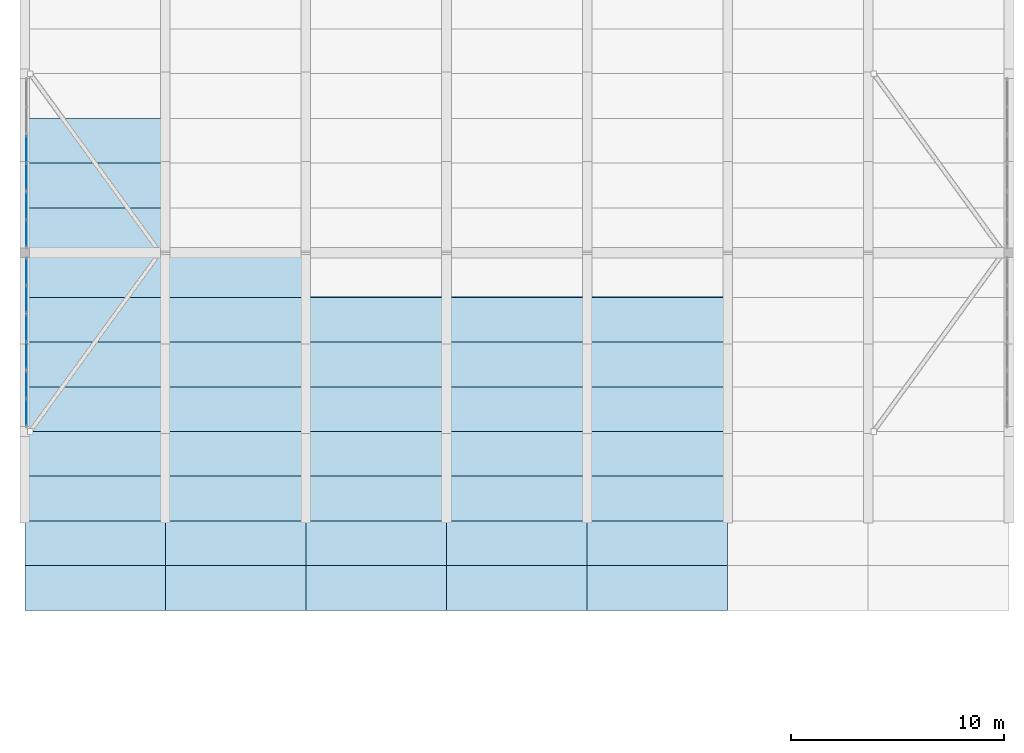
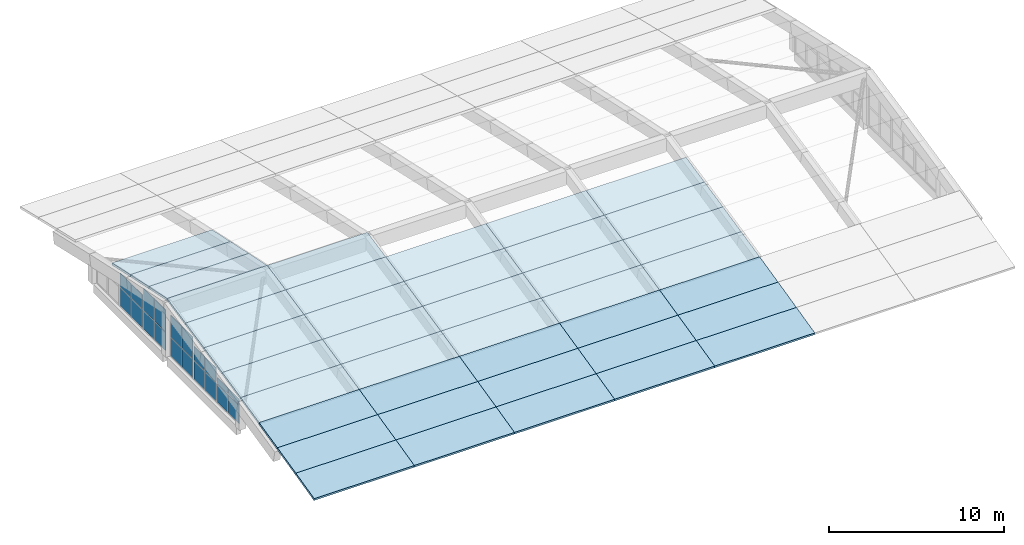
# One storey, part 25 of 47: 40 slabs, 20 plates, 5 elements without a shape of their own.
"""IFC4 building model written with IfcOpenShell, lengths in metres."""

from ifc_helpers import new_model, si_unit, direction, frame, origin, origin_2d, place, context, subcontext, project, spatial, polyline, rectangle, outline, extrude, material, layer, layer_set, type_object, element, aggregate, save


model = new_model("IFC4")

# Units and contexts
model_context = context("Model", 3, precision=1e-05, world=origin(), true_north=direction((0.0, 1.0)))
body_context = subcontext(model_context, "Body", "Model", "MODEL_VIEW")
ifc_project = project(units=[si_unit("LENGTHUNIT", "METRE"), si_unit("AREAUNIT", "SQUARE_METRE"), si_unit("VOLUMEUNIT", "CUBIC_METRE"), si_unit("PLANEANGLEUNIT", "RADIAN"), si_unit("MASSUNIT", "GRAM", prefix="KILO")], contexts=[model_context])

# Site, building, storey
site_placement = place(None, origin())
site = spatial("IfcSite", under=ifc_project, at=site_placement, CompositionType="ELEMENT")
building_placement = place(site_placement, origin())
building = spatial("IfcBuilding", under=site, at=building_placement, Name="Qaldarim Faculty of Natural and Applied Sciences", CompositionType="ELEMENT")
storey_placement = place(building_placement, frame((0.0, 0.0, 22.800048828125)))
storey = spatial("IfcBuildingStorey", under=building, at=storey_placement, Name="L05", CompositionType="ELEMENT", Elevation=22.800048828125)

# Curtain wall, plates
ifc_material_1 = material(Name="Anodised aluminium AW-6063", Category="aluminium")
curtain_wall_type = type_object("IfcCurtainWallType", Name="CurtainWallSystem-M1500", PredefinedType="USERDEFINED", material=ifc_material_1)
curtain_wall_1_placement = place(storey_placement, origin())
curtain_wall_1 = element("IfcCurtainWall", 1, at=curtain_wall_1_placement, inside=storey, type_object=curtain_wall_type, Name="Curtain wall CW-GABLE-L05-W-Y06-1", ObjectType="STICK CURTAIN WALL", PredefinedType="USERDEFINED")
ifc_material_2 = material(Name="Champagne anodised aluminium AW-6063", Category="aluminium")
ifc_layer_1 = layer(ifc_material_2, 0.0400390625)
ifc_layer_set_1 = layer_set([ifc_layer_1], Name="Champagne anodised aluminium AW-6063")
plate_type = type_object("IfcPlateType", Name="InsulatedSpandrelPanel-40", PredefinedType="CURTAIN_PANEL", material=ifc_layer_set_1)
plate_1_placement = place(storey_placement, frame((0.080078125, 44.19140625, 0.06005859375), z_axis=(0.0, 0.0, 1.0), x_axis=(0.0, -1.0, 0.0)))
plate_1 = element("IfcPlate", 2, at=plate_1_placement, type_object=plate_type, Name="Glazed panel 1-1 of CW-GABLE-L05-W-Y06-1", PredefinedType="CURTAIN_PANEL", context=body_context, shape_type="SweptSolid", body=[
    extrude(rectangle(XDim=1.2275390625, YDim=0.0400390625, at=origin_2d()), origin(), (0.0, 0.0, 1.0), 1.260009765625),
])
plate_2_placement = place(storey_placement, frame((0.080078125, 44.19140625, 1.3798828125), z_axis=(0.0, 0.0, 1.0), x_axis=(0.0, -1.0, 0.0)))
plate_2 = element("IfcPlate", 3, at=plate_2_placement, type_object=plate_type, Name="Glazed panel 1-2 of CW-GABLE-L05-W-Y06-1", PredefinedType="CURTAIN_PANEL", context=body_context, shape_type="SweptSolid", body=[
    extrude(rectangle(XDim=1.2275390625, YDim=0.0400390625, at=origin_2d()), origin(), (0.0, 0.0, 1.0), 0.389892578125),
])
plate_3_placement = place(storey_placement, frame((0.080078125, 42.90380859375, 0.06005859375), z_axis=(0.0, 0.0, 1.0), x_axis=(0.0, -1.0, 0.0)))
plate_3 = element("IfcPlate", 4, at=plate_3_placement, type_object=plate_type, Name="Glazed panel 2-1 of CW-GABLE-L05-W-Y06-1", PredefinedType="CURTAIN_PANEL", context=body_context, shape_type="SweptSolid", body=[
    extrude(rectangle(XDim=1.2275390625, YDim=0.0400390625, at=origin_2d()), origin(), (0.0, 0.0, 1.0), 1.260009765625),
])
plate_4_placement = place(storey_placement, frame((0.080078125, 42.90380859375, 1.3798828125), z_axis=(0.0, 0.0, 1.0), x_axis=(0.0, -1.0, 0.0)))
plate_4 = element("IfcPlate", 5, at=plate_4_placement, type_object=plate_type, Name="Glazed panel 2-2 of CW-GABLE-L05-W-Y06-1", PredefinedType="CURTAIN_PANEL", context=body_context, shape_type="SweptSolid", body=[
    extrude(rectangle(XDim=1.2275390625, YDim=0.0400390625, at=origin_2d()), origin(), (0.0, 0.0, 1.0), 0.389892578125),
])
aggregate(curtain_wall_1, [plate_1, plate_2, plate_3, plate_4])

curtain_wall_2_placement = place(storey_placement, origin())
curtain_wall_2 = element("IfcCurtainWall", 6, at=curtain_wall_2_placement, inside=storey, type_object=curtain_wall_type, Name="Curtain wall CW-GABLE-L05-W-Y06-2", ObjectType="STICK CURTAIN WALL", PredefinedType="USERDEFINED")
plate_5_placement = place(storey_placement, frame((0.080078125, 46.84619140625, 0.06005859375), z_axis=(0.0, 0.0, 1.0), x_axis=(0.0, -1.0, 0.0)))
plate_5 = element("IfcPlate", 7, at=plate_5_placement, type_object=plate_type, Name="Glazed panel 1-1 of CW-GABLE-L05-W-Y06-2", PredefinedType="CURTAIN_PANEL", context=body_context, shape_type="SweptSolid", body=[
    extrude(rectangle(XDim=1.2275390625, YDim=0.0400390625, at=origin_2d()), origin(), (0.0, 0.0, 1.0), 1.260009765625),
])
plate_6_placement = place(storey_placement, frame((0.080078125, 46.84619140625, 1.3798828125), z_axis=(0.0, 0.0, 1.0), x_axis=(0.0, -1.0, 0.0)))
plate_6 = element("IfcPlate", 8, at=plate_6_placement, type_object=plate_type, Name="Glazed panel 1-2 of CW-GABLE-L05-W-Y06-2", PredefinedType="CURTAIN_PANEL", context=body_context, shape_type="SweptSolid", body=[
    extrude(rectangle(XDim=1.2275390625, YDim=0.0400390625, at=origin_2d()), origin(), (0.0, 0.0, 1.0), 0.9599609375),
])
plate_7_placement = place(storey_placement, frame((0.080078125, 45.55859375, 0.06005859375), z_axis=(0.0, 0.0, 1.0), x_axis=(0.0, -1.0, 0.0)))
plate_7 = element("IfcPlate", 9, at=plate_7_placement, type_object=plate_type, Name="Glazed panel 2-1 of CW-GABLE-L05-W-Y06-2", PredefinedType="CURTAIN_PANEL", context=body_context, shape_type="SweptSolid", body=[
    extrude(rectangle(XDim=1.2275390625, YDim=0.0400390625, at=origin_2d()), origin(), (0.0, 0.0, 1.0), 1.260009765625),
])
plate_8_placement = place(storey_placement, frame((0.080078125, 45.55859375, 1.3798828125), z_axis=(0.0, 0.0, 1.0), x_axis=(0.0, -1.0, 0.0)))
plate_8 = element("IfcPlate", 10, at=plate_8_placement, type_object=plate_type, Name="Glazed panel 2-2 of CW-GABLE-L05-W-Y06-2", PredefinedType="CURTAIN_PANEL", context=body_context, shape_type="SweptSolid", body=[
    extrude(rectangle(XDim=1.2275390625, YDim=0.0400390625, at=origin_2d()), origin(), (0.0, 0.0, 1.0), 0.9599609375),
])
aggregate(curtain_wall_2, [plate_5, plate_6, plate_7, plate_8])

curtain_wall_3_placement = place(storey_placement, origin())
curtain_wall_3 = element("IfcCurtainWall", 11, at=curtain_wall_3_placement, inside=storey, type_object=curtain_wall_type, Name="Curtain wall CW-GABLE-L05-W-Y06-3", ObjectType="STICK CURTAIN WALL", PredefinedType="USERDEFINED")
plate_9_placement = place(storey_placement, frame((0.080078125, 49.496337890625, 0.06005859375), z_axis=(0.0, 0.0, 1.0), x_axis=(0.0, -1.0, 0.0)))
plate_9 = element("IfcPlate", 12, at=plate_9_placement, type_object=plate_type, Name="Glazed panel 1-1 of CW-GABLE-L05-W-Y06-3", PredefinedType="CURTAIN_PANEL", context=body_context, shape_type="SweptSolid", body=[
    extrude(rectangle(XDim=1.2275390625, YDim=0.0400390625, at=origin_2d()), origin(), (0.0, 0.0, 1.0), 1.260009765625),
])
plate_10_placement = place(storey_placement, frame((0.080078125, 49.496337890625, 1.3798828125), z_axis=(0.0, 0.0, 1.0), x_axis=(0.0, -1.0, 0.0)))
plate_10 = element("IfcPlate", 13, at=plate_10_placement, type_object=plate_type, Name="Glazed panel 1-2 of CW-GABLE-L05-W-Y06-3", PredefinedType="CURTAIN_PANEL", context=body_context, shape_type="SweptSolid", body=[
    extrude(rectangle(XDim=1.2275390625, YDim=0.0400390625, at=origin_2d()), origin(), (0.0, 0.0, 1.0), 1.510009765625),
])
plate_11_placement = place(storey_placement, frame((0.080078125, 48.208740234375, 0.06005859375), z_axis=(0.0, 0.0, 1.0), x_axis=(0.0, -1.0, 0.0)))
plate_11 = element("IfcPlate", 14, at=plate_11_placement, type_object=plate_type, Name="Glazed panel 2-1 of CW-GABLE-L05-W-Y06-3", PredefinedType="CURTAIN_PANEL", context=body_context, shape_type="SweptSolid", body=[
    extrude(rectangle(XDim=1.2275390625, YDim=0.0400390625, at=origin_2d()), origin(), (0.0, 0.0, 1.0), 1.260009765625),
])
plate_12_placement = place(storey_placement, frame((0.080078125, 48.208740234375, 1.3798828125), z_axis=(0.0, 0.0, 1.0), x_axis=(0.0, -1.0, 0.0)))
plate_12 = element("IfcPlate", 15, at=plate_12_placement, type_object=plate_type, Name="Glazed panel 2-2 of CW-GABLE-L05-W-Y06-3", PredefinedType="CURTAIN_PANEL", context=body_context, shape_type="SweptSolid", body=[
    extrude(rectangle(XDim=1.2275390625, YDim=0.0400390625, at=origin_2d()), origin(), (0.0, 0.0, 1.0), 1.510009765625),
])
aggregate(curtain_wall_3, [plate_9, plate_10, plate_11, plate_12])

curtain_wall_4_placement = place(storey_placement, origin())
curtain_wall_4 = element("IfcCurtainWall", 16, at=curtain_wall_4_placement, inside=storey, type_object=curtain_wall_type, Name="Curtain wall CW-GABLE-L05-W-Y07-1", ObjectType="STICK CURTAIN WALL", PredefinedType="USERDEFINED")
plate_13_placement = place(storey_placement, frame((0.080078125, 52.59130859375, 0.06005859375), z_axis=(0.0, 0.0, 1.0), x_axis=(0.0, -1.0, 0.0)))
plate_13 = element("IfcPlate", 17, at=plate_13_placement, type_object=plate_type, Name="Glazed panel 1-1 of CW-GABLE-L05-W-Y07-1", PredefinedType="CURTAIN_PANEL", context=body_context, shape_type="SweptSolid", body=[
    extrude(rectangle(XDim=1.2275390625, YDim=0.0400390625, at=origin_2d()), origin(), (0.0, 0.0, 1.0), 1.260009765625),
])
plate_14_placement = place(storey_placement, frame((0.080078125, 52.59130859375, 1.3798828125), z_axis=(0.0, 0.0, 1.0), x_axis=(0.0, -1.0, 0.0)))
plate_14 = element("IfcPlate", 18, at=plate_14_placement, type_object=plate_type, Name="Glazed panel 1-2 of CW-GABLE-L05-W-Y07-1", PredefinedType="CURTAIN_PANEL", context=body_context, shape_type="SweptSolid", body=[
    extrude(rectangle(XDim=1.2275390625, YDim=0.0400390625, at=origin_2d()), origin(), (0.0, 0.0, 1.0), 1.510009765625),
])
plate_15_placement = place(storey_placement, frame((0.080078125, 51.3037109375, 0.06005859375), z_axis=(0.0, 0.0, 1.0), x_axis=(0.0, -1.0, 0.0)))
plate_15 = element("IfcPlate", 19, at=plate_15_placement, type_object=plate_type, Name="Glazed panel 2-1 of CW-GABLE-L05-W-Y07-1", PredefinedType="CURTAIN_PANEL", context=body_context, shape_type="SweptSolid", body=[
    extrude(rectangle(XDim=1.2275390625, YDim=0.0400390625, at=origin_2d()), origin(), (0.0, 0.0, 1.0), 1.260009765625),
])
plate_16_placement = place(storey_placement, frame((0.080078125, 51.3037109375, 1.3798828125), z_axis=(0.0, 0.0, 1.0), x_axis=(0.0, -1.0, 0.0)))
plate_16 = element("IfcPlate", 20, at=plate_16_placement, type_object=plate_type, Name="Glazed panel 2-2 of CW-GABLE-L05-W-Y07-1", PredefinedType="CURTAIN_PANEL", context=body_context, shape_type="SweptSolid", body=[
    extrude(rectangle(XDim=1.2275390625, YDim=0.0400390625, at=origin_2d()), origin(), (0.0, 0.0, 1.0), 1.510009765625),
])
aggregate(curtain_wall_4, [plate_13, plate_14, plate_15, plate_16])

curtain_wall_5_placement = place(storey_placement, origin())
curtain_wall_5 = element("IfcCurtainWall", 21, at=curtain_wall_5_placement, inside=storey, type_object=curtain_wall_type, Name="Curtain wall CW-GABLE-L05-W-Y07-2", ObjectType="STICK CURTAIN WALL", PredefinedType="USERDEFINED")
plate_17_placement = place(storey_placement, frame((0.080078125, 55.246337890625, 0.06005859375), z_axis=(0.0, 0.0, 1.0), x_axis=(0.0, -1.0, 0.0)))
plate_17 = element("IfcPlate", 22, at=plate_17_placement, type_object=plate_type, Name="Glazed panel 1-1 of CW-GABLE-L05-W-Y07-2", PredefinedType="CURTAIN_PANEL", context=body_context, shape_type="SweptSolid", body=[
    extrude(rectangle(XDim=1.2275390625, YDim=0.0400390625, at=origin_2d()), origin(), (0.0, 0.0, 1.0), 1.260009765625),
])
plate_18_placement = place(storey_placement, frame((0.080078125, 55.246337890625, 1.3798828125), z_axis=(0.0, 0.0, 1.0), x_axis=(0.0, -1.0, 0.0)))
plate_18 = element("IfcPlate", 23, at=plate_18_placement, type_object=plate_type, Name="Glazed panel 1-2 of CW-GABLE-L05-W-Y07-2", PredefinedType="CURTAIN_PANEL", context=body_context, shape_type="SweptSolid", body=[
    extrude(rectangle(XDim=1.2275390625, YDim=0.0400390625, at=origin_2d()), origin(), (0.0, 0.0, 1.0), 0.9599609375),
])
plate_19_placement = place(storey_placement, frame((0.080078125, 53.958740234375, 0.06005859375), z_axis=(0.0, 0.0, 1.0), x_axis=(0.0, -1.0, 0.0)))
plate_19 = element("IfcPlate", 24, at=plate_19_placement, type_object=plate_type, Name="Glazed panel 2-1 of CW-GABLE-L05-W-Y07-2", PredefinedType="CURTAIN_PANEL", context=body_context, shape_type="SweptSolid", body=[
    extrude(rectangle(XDim=1.2275390625, YDim=0.0400390625, at=origin_2d()), origin(), (0.0, 0.0, 1.0), 1.260009765625),
])
plate_20_placement = place(storey_placement, frame((0.080078125, 53.958740234375, 1.3798828125), z_axis=(0.0, 0.0, 1.0), x_axis=(0.0, -1.0, 0.0)))
plate_20 = element("IfcPlate", 25, at=plate_20_placement, type_object=plate_type, Name="Glazed panel 2-2 of CW-GABLE-L05-W-Y07-2", PredefinedType="CURTAIN_PANEL", context=body_context, shape_type="SweptSolid", body=[
    extrude(rectangle(XDim=1.2275390625, YDim=0.0400390625, at=origin_2d()), origin(), (0.0, 0.0, 1.0), 0.9599609375),
])
aggregate(curtain_wall_5, [plate_17, plate_18, plate_19, plate_20])

# Slabs
ifc_material_3 = material(Name="Concrete C40/50", Category="concrete")
ifc_layer_2 = layer(ifc_material_3, 0.159912109375)
ifc_layer_set_2 = layer_set([ifc_layer_2], Name="Concrete C40/50")
slab_type = type_object("IfcSlabType", Name="PointedArchShellStrip-160", PredefinedType="ROOF", material=ifc_layer_set_2)
slab_1_placement = place(storey_placement, frame((0.0, 48.33251953125, 3.30810546875), z_axis=(0.0, -0.202876649929, 0.979204301928), x_axis=(1.0, 0.0, 0.0)))
element("IfcSlab", 26, at=slab_1_placement, inside=storey, type_object=slab_type, Name="Pointed-arch shell strip B01-S01", PredefinedType="ROOF", context=body_context, shape_type="SweptSolid", body=[
    extrude(outline(polyline([(0.0, 0.0), (6.60009765625, 0.0), (6.60009765625, 2.144448825940689), (0.0, 2.144448825940689), (0.0, 0.0)])), origin(), (0.0, 0.0, 1.0), 0.159912109375),
])
slab_2_placement = place(storey_placement, frame((0.0, 46.233154296875, 2.863525390625), z_axis=(0.0, -0.207213980764, 0.978295643543), x_axis=(1.0, 0.0, 0.0)))
element("IfcSlab", 27, at=slab_2_placement, inside=storey, type_object=slab_type, Name="Pointed-arch shell strip B01-S02", PredefinedType="ROOF", context=body_context, shape_type="SweptSolid", body=[
    extrude(outline(polyline([(0.0, 0.0), (6.60009765625, 0.0), (6.60009765625, 2.146690185232441), (0.0, 2.146690185232441), (0.0, 0.0)])), origin(), (0.0, 0.0, 1.0), 0.159912109375),
])
slab_3_placement = place(storey_placement, frame((0.0, 44.134033203125, 2.40869140625), z_axis=(0.0, -0.211802186489, 0.977312556861), x_axis=(1.0, 0.0, 0.0)))
element("IfcSlab", 28, at=slab_3_placement, inside=storey, type_object=slab_type, Name="Pointed-arch shell strip B01-S03", PredefinedType="ROOF", context=body_context, shape_type="SweptSolid", body=[
    extrude(outline(polyline([(0.0, 0.0), (6.60009765625, 0.0), (6.60009765625, 2.148599750287658), (0.0, 2.148599750287658), (0.0, 0.0)])), origin(), (0.0, 0.0, 1.0), 0.159912109375),
])
slab_4_placement = place(storey_placement, frame((0.0, 42.03466796875, 1.943603515625), z_axis=(0.0, -0.216221346803, 0.976344370182), x_axis=(1.0, 0.0, 0.0)))
element("IfcSlab", 29, at=slab_4_placement, inside=storey, type_object=slab_type, Name="Pointed-arch shell strip B01-S04", PredefinedType="ROOF", context=body_context, shape_type="SweptSolid", body=[
    extrude(outline(polyline([(0.0, 0.0), (6.60009765625, 0.0), (6.60009765625, 2.1509804536054613), (0.0, 2.1509804536054613), (0.0, 0.0)])), origin(), (0.0, 0.0, 1.0), 0.159912109375),
])
slab_5_placement = place(storey_placement, frame((0.0, 39.935302734375, 1.468994140625), z_axis=(0.0, -0.22054276449, 0.975377305985), x_axis=(1.0, 0.0, 0.0)))
element("IfcSlab", 30, at=slab_5_placement, inside=storey, type_object=slab_type, Name="Pointed-arch shell strip B01-S05", PredefinedType="ROOF", context=body_context, shape_type="SweptSolid", body=[
    extrude(outline(polyline([(0.0, 0.0), (6.60009765625, 0.0), (6.60009765625, 2.153113101322865), (0.0, 2.153113101322865), (0.0, 0.0)])), origin(), (0.0, 0.0, 1.0), 0.159912109375),
])
slab_6_placement = place(storey_placement, frame((0.0, 37.836181640625, 0.98388671875), z_axis=(0.0, -0.225091155486, 0.974337709278), x_axis=(1.0, 0.0, 0.0)))
element("IfcSlab", 31, at=slab_6_placement, inside=storey, type_object=slab_type, Name="Pointed-arch shell strip B01-S06", PredefinedType="ROOF", context=body_context, shape_type="SweptSolid", body=[
    extrude(outline(polyline([(0.0, 0.0), (6.60009765625, 0.0), (6.60009765625, 2.1551598543590407), (0.0, 2.1551598543590407), (0.0, 0.0)])), origin(), (0.0, 0.0, 1.0), 0.159912109375),
])
slab_7_placement = place(storey_placement, frame((0.0, 35.736572265625, 0.4892578125), z_axis=(0.0, -0.229360972314, 0.973341432581), x_axis=(1.0, 0.0, 0.0)))
element("IfcSlab", 32, at=slab_7_placement, inside=storey, type_object=slab_type, Name="Pointed-arch shell strip B01-S07", PredefinedType="ROOF", context=body_context, shape_type="SweptSolid", body=[
    extrude(outline(polyline([(0.0, 0.0), (6.60009765625, 0.0), (6.60009765625, 2.1576166244979875), (0.0, 2.1576166244979875), (0.0, 0.0)])), origin(), (0.0, 0.0, 1.0), 0.159912109375),
])
slab_8_placement = place(storey_placement, frame((0.0, 33.637451171875, -0.015625), z_axis=(0.0, -0.233881690237, 0.972265064153), x_axis=(1.0, 0.0, 0.0)))
element("IfcSlab", 33, at=slab_8_placement, inside=storey, type_object=slab_type, Name="Pointed-arch shell strip B01-S08", PredefinedType="ROOF", context=body_context, shape_type="SweptSolid", body=[
    extrude(outline(polyline([(0.0, 0.0), (6.60009765625, 0.0), (6.60009765625, 2.159754158661587), (0.0, 2.159754158661587), (0.0, 0.0)])), origin(), (0.0, 0.0, 1.0), 0.159912109375),
])
slab_9_placement = place(storey_placement, frame((0.0, 50.367431640625, 3.7431640625), z_axis=(0.0, 0.202854035669, 0.979208986995), x_axis=(1.0, 0.0, 0.0)))
element("IfcSlab", 34, at=slab_9_placement, inside=storey, type_object=slab_type, Name="Pointed-arch shell strip B01-N01", PredefinedType="ROOF", context=body_context, shape_type="SweptSolid", body=[
    extrude(outline(polyline([(0.0, 0.0), (6.60009765625, 0.0), (6.60009765625, 2.144687890062904), (0.0, 2.144687890062904), (0.0, 0.0)])), origin(), (0.0, 0.0, 1.0), 0.159912109375),
])
slab_10_placement = place(storey_placement, frame((0.0, 52.466796875, 3.308349609375), z_axis=(0.0, 0.207213980764, 0.978295643543), x_axis=(1.0, 0.0, 0.0)))
element("IfcSlab", 35, at=slab_10_placement, inside=storey, type_object=slab_type, Name="Pointed-arch shell strip B01-N02", PredefinedType="ROOF", context=body_context, shape_type="SweptSolid", body=[
    extrude(outline(polyline([(0.0, 0.0), (6.60009765625, 0.0), (6.60009765625, 2.146690185232441), (0.0, 2.146690185232441), (0.0, 0.0)])), origin(), (0.0, 0.0, 1.0), 0.159912109375),
])
slab_11_placement = place(storey_placement, frame((0.0, 54.566162109375, 2.86376953125), z_axis=(0.0, 0.211802186489, 0.977312556861), x_axis=(1.0, 0.0, 0.0)))
element("IfcSlab", 36, at=slab_11_placement, inside=storey, type_object=slab_type, Name="Pointed-arch shell strip B01-N03", PredefinedType="ROOF", context=body_context, shape_type="SweptSolid", body=[
    extrude(outline(polyline([(0.0, 0.0), (6.60009765625, 0.0), (6.60009765625, 2.148599750287658), (0.0, 2.148599750287658), (0.0, 0.0)])), origin(), (0.0, 0.0, 1.0), 0.159912109375),
])
slab_12_placement = place(storey_placement, frame((6.60009765625, 48.33251953125, 3.30810546875), z_axis=(0.0, -0.202876649929, 0.979204301928), x_axis=(1.0, 0.0, 0.0)))
element("IfcSlab", 37, at=slab_12_placement, inside=storey, type_object=slab_type, Name="Pointed-arch shell strip B02-S01", PredefinedType="ROOF", context=body_context, shape_type="SweptSolid", body=[
    extrude(outline(polyline([(0.0, 0.0), (6.599853515625, 0.0), (6.599853515625, 2.1444488259406893), (0.0, 2.1444488259406893), (0.0, 0.0)])), origin(), (0.0, 0.0, 1.0), 0.159912109375),
])
slab_13_placement = place(storey_placement, frame((6.60009765625, 46.233154296875, 2.863525390625), z_axis=(0.0, -0.207213980764, 0.978295643543), x_axis=(1.0, 0.0, 0.0)))
element("IfcSlab", 38, at=slab_13_placement, inside=storey, type_object=slab_type, Name="Pointed-arch shell strip B02-S02", PredefinedType="ROOF", context=body_context, shape_type="SweptSolid", body=[
    extrude(outline(polyline([(0.0, 0.0), (6.599853515625, 0.0), (6.599853515625, 2.1466901852324414), (0.0, 2.1466901852324414), (0.0, 0.0)])), origin(), (0.0, 0.0, 1.0), 0.159912109375),
])
slab_14_placement = place(storey_placement, frame((6.60009765625, 44.134033203125, 2.40869140625), z_axis=(0.0, -0.211802186489, 0.977312556861), x_axis=(1.0, 0.0, 0.0)))
element("IfcSlab", 39, at=slab_14_placement, inside=storey, type_object=slab_type, Name="Pointed-arch shell strip B02-S03", PredefinedType="ROOF", context=body_context, shape_type="SweptSolid", body=[
    extrude(outline(polyline([(0.0, 0.0), (6.599853515625, 0.0), (6.599853515625, 2.1485997502876586), (0.0, 2.1485997502876586), (0.0, 0.0)])), origin(), (0.0, 0.0, 1.0), 0.159912109375),
])
slab_15_placement = place(storey_placement, frame((6.60009765625, 42.03466796875, 1.943603515625), z_axis=(0.0, -0.216221346803, 0.976344370182), x_axis=(1.0, 0.0, 0.0)))
element("IfcSlab", 40, at=slab_15_placement, inside=storey, type_object=slab_type, Name="Pointed-arch shell strip B02-S04", PredefinedType="ROOF", context=body_context, shape_type="SweptSolid", body=[
    extrude(outline(polyline([(0.0, 0.0), (6.599853515625, 0.0), (6.599853515625, 2.1509804536054613), (0.0, 2.1509804536054613), (0.0, 0.0)])), origin(), (0.0, 0.0, 1.0), 0.159912109375),
])
slab_16_placement = place(storey_placement, frame((6.60009765625, 39.935302734375, 1.468994140625), z_axis=(0.0, -0.22054276449, 0.975377305985), x_axis=(1.0, 0.0, 0.0)))
element("IfcSlab", 41, at=slab_16_placement, inside=storey, type_object=slab_type, Name="Pointed-arch shell strip B02-S05", PredefinedType="ROOF", context=body_context, shape_type="SweptSolid", body=[
    extrude(outline(polyline([(0.0, 0.0), (6.599853515625, 0.0), (6.599853515625, 2.153113101322865), (0.0, 2.153113101322865), (0.0, 0.0)])), origin(), (0.0, 0.0, 1.0), 0.159912109375),
])
slab_17_placement = place(storey_placement, frame((6.60009765625, 37.836181640625, 0.98388671875), z_axis=(0.0, -0.225091155486, 0.974337709278), x_axis=(1.0, 0.0, 0.0)))
element("IfcSlab", 42, at=slab_17_placement, inside=storey, type_object=slab_type, Name="Pointed-arch shell strip B02-S06", PredefinedType="ROOF", context=body_context, shape_type="SweptSolid", body=[
    extrude(outline(polyline([(0.0, 0.0), (6.599853515625, 0.0), (6.599853515625, 2.1551598543590407), (0.0, 2.1551598543590407), (0.0, 0.0)])), origin(), (0.0, 0.0, 1.0), 0.159912109375),
])
slab_18_placement = place(storey_placement, frame((6.60009765625, 35.736572265625, 0.4892578125), z_axis=(0.0, -0.229360972314, 0.973341432581), x_axis=(1.0, 0.0, 0.0)))
element("IfcSlab", 43, at=slab_18_placement, inside=storey, type_object=slab_type, Name="Pointed-arch shell strip B02-S07", PredefinedType="ROOF", context=body_context, shape_type="SweptSolid", body=[
    extrude(outline(polyline([(0.0, 0.0), (6.599853515625, 0.0), (6.599853515625, 2.1576166244979875), (0.0, 2.1576166244979875), (0.0, 0.0)])), origin(), (0.0, 0.0, 1.0), 0.159912109375),
])
slab_19_placement = place(storey_placement, frame((6.60009765625, 33.637451171875, -0.015625), z_axis=(0.0, -0.233881690237, 0.972265064153), x_axis=(1.0, 0.0, 0.0)))
element("IfcSlab", 44, at=slab_19_placement, inside=storey, type_object=slab_type, Name="Pointed-arch shell strip B02-S08", PredefinedType="ROOF", context=body_context, shape_type="SweptSolid", body=[
    extrude(outline(polyline([(0.0, 0.0), (6.599853515625, 0.0), (6.599853515625, 2.159754158661587), (0.0, 2.159754158661587), (0.0, 0.0)])), origin(), (0.0, 0.0, 1.0), 0.159912109375),
])
slab_20_placement = place(storey_placement, frame((13.199951171875, 46.233154296875, 2.863525390625), z_axis=(0.0, -0.207213980764, 0.978295643543), x_axis=(1.0, 0.0, 0.0)))
element("IfcSlab", 45, at=slab_20_placement, inside=storey, type_object=slab_type, Name="Pointed-arch shell strip B03-S02", PredefinedType="ROOF", context=body_context, shape_type="SweptSolid", body=[
    extrude(outline(polyline([(0.0, 0.0), (6.60009765625, 0.0), (6.60009765625, 2.146690185232441), (0.0, 2.146690185232441), (0.0, 0.0)])), origin(), (0.0, 0.0, 1.0), 0.159912109375),
])
slab_21_placement = place(storey_placement, frame((13.199951171875, 44.134033203125, 2.40869140625), z_axis=(0.0, -0.211802186489, 0.977312556861), x_axis=(1.0, 0.0, 0.0)))
element("IfcSlab", 46, at=slab_21_placement, inside=storey, type_object=slab_type, Name="Pointed-arch shell strip B03-S03", PredefinedType="ROOF", context=body_context, shape_type="SweptSolid", body=[
    extrude(outline(polyline([(0.0, 0.0), (6.60009765625, 0.0), (6.60009765625, 2.148599750287658), (0.0, 2.148599750287658), (0.0, 0.0)])), origin(), (0.0, 0.0, 1.0), 0.159912109375),
])
slab_22_placement = place(storey_placement, frame((13.199951171875, 42.03466796875, 1.943603515625), z_axis=(0.0, -0.216221346803, 0.976344370182), x_axis=(1.0, 0.0, 0.0)))
element("IfcSlab", 47, at=slab_22_placement, inside=storey, type_object=slab_type, Name="Pointed-arch shell strip B03-S04", PredefinedType="ROOF", context=body_context, shape_type="SweptSolid", body=[
    extrude(outline(polyline([(0.0, 0.0), (6.60009765625, 0.0), (6.60009765625, 2.1509804536054613), (0.0, 2.1509804536054613), (0.0, 0.0)])), origin(), (0.0, 0.0, 1.0), 0.159912109375),
])
slab_23_placement = place(storey_placement, frame((13.199951171875, 39.935302734375, 1.468994140625), z_axis=(0.0, -0.22054276449, 0.975377305985), x_axis=(1.0, 0.0, 0.0)))
element("IfcSlab", 48, at=slab_23_placement, inside=storey, type_object=slab_type, Name="Pointed-arch shell strip B03-S05", PredefinedType="ROOF", context=body_context, shape_type="SweptSolid", body=[
    extrude(outline(polyline([(0.0, 0.0), (6.60009765625, 0.0), (6.60009765625, 2.153113101322865), (0.0, 2.153113101322865), (0.0, 0.0)])), origin(), (0.0, 0.0, 1.0), 0.159912109375),
])
slab_24_placement = place(storey_placement, frame((13.199951171875, 37.836181640625, 0.98388671875), z_axis=(0.0, -0.225091155486, 0.974337709278), x_axis=(1.0, 0.0, 0.0)))
element("IfcSlab", 49, at=slab_24_placement, inside=storey, type_object=slab_type, Name="Pointed-arch shell strip B03-S06", PredefinedType="ROOF", context=body_context, shape_type="SweptSolid", body=[
    extrude(outline(polyline([(0.0, 0.0), (6.60009765625, 0.0), (6.60009765625, 2.1551598543590407), (0.0, 2.1551598543590407), (0.0, 0.0)])), origin(), (0.0, 0.0, 1.0), 0.159912109375),
])
slab_25_placement = place(storey_placement, frame((13.199951171875, 35.736572265625, 0.4892578125), z_axis=(0.0, -0.229360972314, 0.973341432581), x_axis=(1.0, 0.0, 0.0)))
element("IfcSlab", 50, at=slab_25_placement, inside=storey, type_object=slab_type, Name="Pointed-arch shell strip B03-S07", PredefinedType="ROOF", context=body_context, shape_type="SweptSolid", body=[
    extrude(outline(polyline([(0.0, 0.0), (6.60009765625, 0.0), (6.60009765625, 2.1576166244979875), (0.0, 2.1576166244979875), (0.0, 0.0)])), origin(), (0.0, 0.0, 1.0), 0.159912109375),
])
slab_26_placement = place(storey_placement, frame((13.199951171875, 33.637451171875, -0.015625), z_axis=(0.0, -0.233881690237, 0.972265064153), x_axis=(1.0, 0.0, 0.0)))
element("IfcSlab", 51, at=slab_26_placement, inside=storey, type_object=slab_type, Name="Pointed-arch shell strip B03-S08", PredefinedType="ROOF", context=body_context, shape_type="SweptSolid", body=[
    extrude(outline(polyline([(0.0, 0.0), (6.60009765625, 0.0), (6.60009765625, 2.159754158661587), (0.0, 2.159754158661587), (0.0, 0.0)])), origin(), (0.0, 0.0, 1.0), 0.159912109375),
])
slab_27_placement = place(storey_placement, frame((19.800048828125, 46.233154296875, 2.863525390625), z_axis=(0.0, -0.207213980764, 0.978295643543), x_axis=(1.0, 0.0, 0.0)))
element("IfcSlab", 52, at=slab_27_placement, inside=storey, type_object=slab_type, Name="Pointed-arch shell strip B04-S02", PredefinedType="ROOF", context=body_context, shape_type="SweptSolid", body=[
    extrude(outline(polyline([(0.0, 0.0), (6.599853515625, 0.0), (6.599853515625, 2.1466901852324414), (0.0, 2.1466901852324414), (0.0, 0.0)])), origin(), (0.0, 0.0, 1.0), 0.159912109375),
])
slab_28_placement = place(storey_placement, frame((19.800048828125, 44.134033203125, 2.40869140625), z_axis=(0.0, -0.211802186489, 0.977312556861), x_axis=(1.0, 0.0, 0.0)))
element("IfcSlab", 53, at=slab_28_placement, inside=storey, type_object=slab_type, Name="Pointed-arch shell strip B04-S03", PredefinedType="ROOF", context=body_context, shape_type="SweptSolid", body=[
    extrude(outline(polyline([(0.0, 0.0), (6.599853515625, 0.0), (6.599853515625, 2.1485997502876586), (0.0, 2.1485997502876586), (0.0, 0.0)])), origin(), (0.0, 0.0, 1.0), 0.159912109375),
])
slab_29_placement = place(storey_placement, frame((19.800048828125, 42.03466796875, 1.943603515625), z_axis=(0.0, -0.216221346803, 0.976344370182), x_axis=(1.0, 0.0, 0.0)))
element("IfcSlab", 54, at=slab_29_placement, inside=storey, type_object=slab_type, Name="Pointed-arch shell strip B04-S04", PredefinedType="ROOF", context=body_context, shape_type="SweptSolid", body=[
    extrude(outline(polyline([(0.0, 0.0), (6.599853515625, 0.0), (6.599853515625, 2.1509804536054613), (0.0, 2.1509804536054613), (0.0, 0.0)])), origin(), (0.0, 0.0, 1.0), 0.159912109375),
])
slab_30_placement = place(storey_placement, frame((19.800048828125, 39.935302734375, 1.468994140625), z_axis=(0.0, -0.22054276449, 0.975377305985), x_axis=(1.0, 0.0, 0.0)))
element("IfcSlab", 55, at=slab_30_placement, inside=storey, type_object=slab_type, Name="Pointed-arch shell strip B04-S05", PredefinedType="ROOF", context=body_context, shape_type="SweptSolid", body=[
    extrude(outline(polyline([(0.0, 0.0), (6.599853515625, 0.0), (6.599853515625, 2.153113101322865), (0.0, 2.153113101322865), (0.0, 0.0)])), origin(), (0.0, 0.0, 1.0), 0.159912109375),
])
slab_31_placement = place(storey_placement, frame((19.800048828125, 37.836181640625, 0.98388671875), z_axis=(0.0, -0.225091155486, 0.974337709278), x_axis=(1.0, 0.0, 0.0)))
element("IfcSlab", 56, at=slab_31_placement, inside=storey, type_object=slab_type, Name="Pointed-arch shell strip B04-S06", PredefinedType="ROOF", context=body_context, shape_type="SweptSolid", body=[
    extrude(outline(polyline([(0.0, 0.0), (6.599853515625, 0.0), (6.599853515625, 2.1551598543590407), (0.0, 2.1551598543590407), (0.0, 0.0)])), origin(), (0.0, 0.0, 1.0), 0.159912109375),
])
slab_32_placement = place(storey_placement, frame((19.800048828125, 35.736572265625, 0.4892578125), z_axis=(0.0, -0.229360972314, 0.973341432581), x_axis=(1.0, 0.0, 0.0)))
element("IfcSlab", 57, at=slab_32_placement, inside=storey, type_object=slab_type, Name="Pointed-arch shell strip B04-S07", PredefinedType="ROOF", context=body_context, shape_type="SweptSolid", body=[
    extrude(outline(polyline([(0.0, 0.0), (6.599853515625, 0.0), (6.599853515625, 2.1576166244979875), (0.0, 2.1576166244979875), (0.0, 0.0)])), origin(), (0.0, 0.0, 1.0), 0.159912109375),
])
slab_33_placement = place(storey_placement, frame((19.800048828125, 33.637451171875, -0.015625), z_axis=(0.0, -0.233881690237, 0.972265064153), x_axis=(1.0, 0.0, 0.0)))
element("IfcSlab", 58, at=slab_33_placement, inside=storey, type_object=slab_type, Name="Pointed-arch shell strip B04-S08", PredefinedType="ROOF", context=body_context, shape_type="SweptSolid", body=[
    extrude(outline(polyline([(0.0, 0.0), (6.599853515625, 0.0), (6.599853515625, 2.159754158661587), (0.0, 2.159754158661587), (0.0, 0.0)])), origin(), (0.0, 0.0, 1.0), 0.159912109375),
])
slab_34_placement = place(storey_placement, frame((26.39990234375, 46.233154296875, 2.863525390625), z_axis=(0.0, -0.207213980764, 0.978295643543), x_axis=(1.0, 0.0, 0.0)))
element("IfcSlab", 59, at=slab_34_placement, inside=storey, type_object=slab_type, Name="Pointed-arch shell strip B05-S02", PredefinedType="ROOF", context=body_context, shape_type="SweptSolid", body=[
    extrude(outline(polyline([(0.0, 0.0), (6.60009765625, 0.0), (6.60009765625, 2.146690185232441), (0.0, 2.146690185232441), (0.0, 0.0)])), origin(), (0.0, 0.0, 1.0), 0.159912109375),
])
slab_35_placement = place(storey_placement, frame((26.39990234375, 44.134033203125, 2.40869140625), z_axis=(0.0, -0.211802186489, 0.977312556861), x_axis=(1.0, 0.0, 0.0)))
element("IfcSlab", 60, at=slab_35_placement, inside=storey, type_object=slab_type, Name="Pointed-arch shell strip B05-S03", PredefinedType="ROOF", context=body_context, shape_type="SweptSolid", body=[
    extrude(outline(polyline([(0.0, 0.0), (6.60009765625, 0.0), (6.60009765625, 2.148599750287658), (0.0, 2.148599750287658), (0.0, 0.0)])), origin(), (0.0, 0.0, 1.0), 0.159912109375),
])
slab_36_placement = place(storey_placement, frame((26.39990234375, 42.03466796875, 1.943603515625), z_axis=(0.0, -0.216221346803, 0.976344370182), x_axis=(1.0, 0.0, 0.0)))
element("IfcSlab", 61, at=slab_36_placement, inside=storey, type_object=slab_type, Name="Pointed-arch shell strip B05-S04", PredefinedType="ROOF", context=body_context, shape_type="SweptSolid", body=[
    extrude(outline(polyline([(0.0, 0.0), (6.60009765625, 0.0), (6.60009765625, 2.1509804536054613), (0.0, 2.1509804536054613), (0.0, 0.0)])), origin(), (0.0, 0.0, 1.0), 0.159912109375),
])
slab_37_placement = place(storey_placement, frame((26.39990234375, 39.935302734375, 1.468994140625), z_axis=(0.0, -0.22054276449, 0.975377305985), x_axis=(1.0, 0.0, 0.0)))
element("IfcSlab", 62, at=slab_37_placement, inside=storey, type_object=slab_type, Name="Pointed-arch shell strip B05-S05", PredefinedType="ROOF", context=body_context, shape_type="SweptSolid", body=[
    extrude(outline(polyline([(0.0, 0.0), (6.60009765625, 0.0), (6.60009765625, 2.153113101322865), (0.0, 2.153113101322865), (0.0, 0.0)])), origin(), (0.0, 0.0, 1.0), 0.159912109375),
])
slab_38_placement = place(storey_placement, frame((26.39990234375, 37.836181640625, 0.98388671875), z_axis=(0.0, -0.225091155486, 0.974337709278), x_axis=(1.0, 0.0, 0.0)))
element("IfcSlab", 63, at=slab_38_placement, inside=storey, type_object=slab_type, Name="Pointed-arch shell strip B05-S06", PredefinedType="ROOF", context=body_context, shape_type="SweptSolid", body=[
    extrude(outline(polyline([(0.0, 0.0), (6.60009765625, 0.0), (6.60009765625, 2.1551598543590407), (0.0, 2.1551598543590407), (0.0, 0.0)])), origin(), (0.0, 0.0, 1.0), 0.159912109375),
])
slab_39_placement = place(storey_placement, frame((26.39990234375, 35.736572265625, 0.4892578125), z_axis=(0.0, -0.229360972314, 0.973341432581), x_axis=(1.0, 0.0, 0.0)))
element("IfcSlab", 64, at=slab_39_placement, inside=storey, type_object=slab_type, Name="Pointed-arch shell strip B05-S07", PredefinedType="ROOF", context=body_context, shape_type="SweptSolid", body=[
    extrude(outline(polyline([(0.0, 0.0), (6.60009765625, 0.0), (6.60009765625, 2.1576166244979875), (0.0, 2.1576166244979875), (0.0, 0.0)])), origin(), (0.0, 0.0, 1.0), 0.159912109375),
])
slab_40_placement = place(storey_placement, frame((26.39990234375, 33.637451171875, -0.015625), z_axis=(0.0, -0.233881690237, 0.972265064153), x_axis=(1.0, 0.0, 0.0)))
element("IfcSlab", 65, at=slab_40_placement, inside=storey, type_object=slab_type, Name="Pointed-arch shell strip B05-S08", PredefinedType="ROOF", context=body_context, shape_type="SweptSolid", body=[
    extrude(outline(polyline([(0.0, 0.0), (6.60009765625, 0.0), (6.60009765625, 2.159754158661587), (0.0, 2.159754158661587), (0.0, 0.0)])), origin(), (0.0, 0.0, 1.0), 0.159912109375),
])

save(model, "model.ifc")
